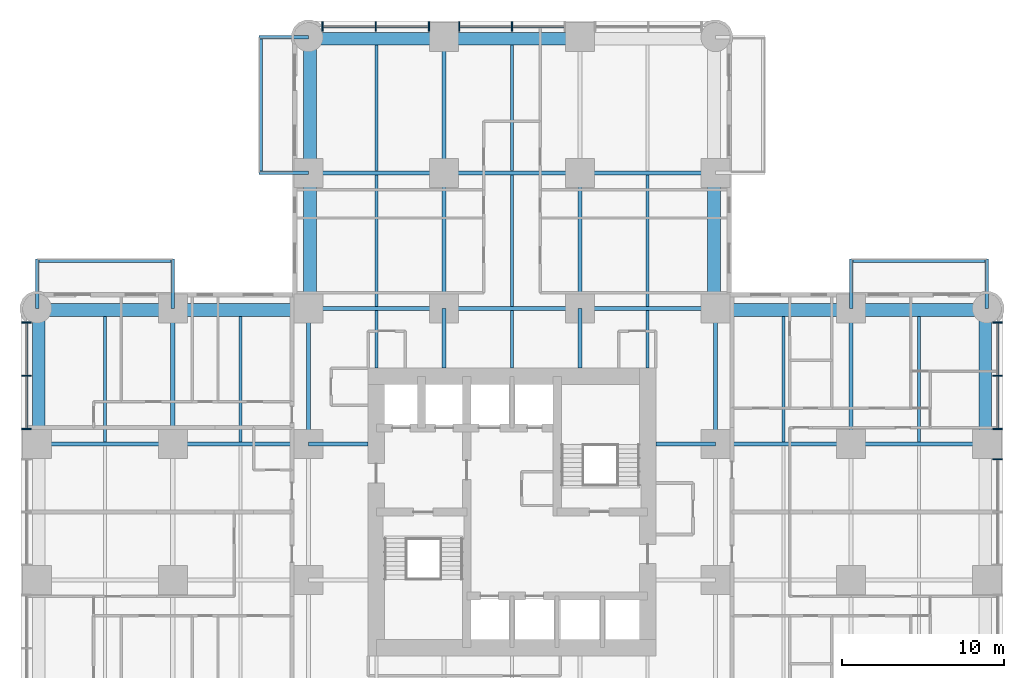
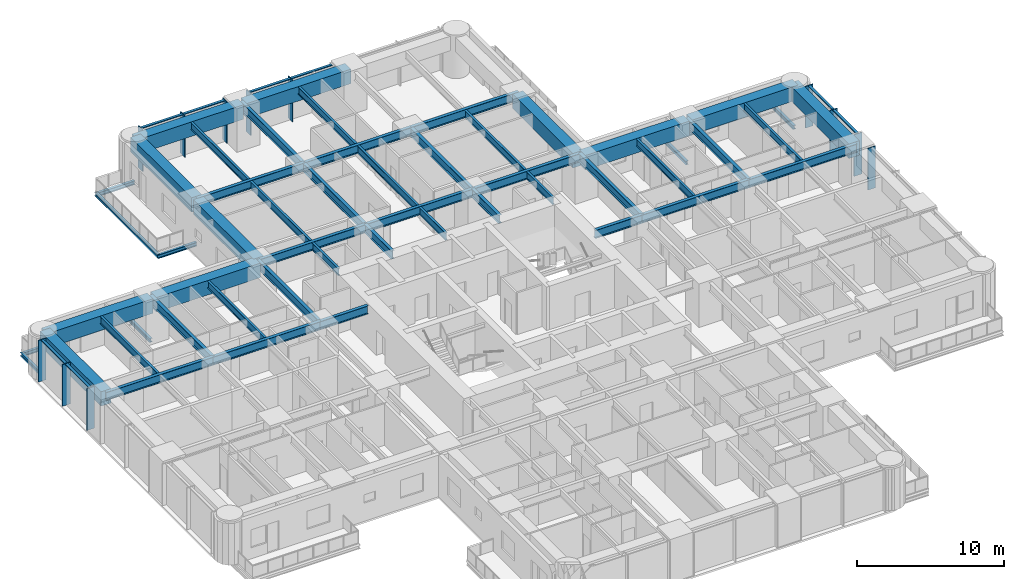
# One storey, part 4 of 17: 53 beams, 20 members, 3 elements without a shape of their own.
"""IFC4 building model written with IfcOpenShell, lengths in metres."""

import ifcopenshell
import ifcopenshell.guid

model = None  # the IFC model being written
_history = None  # IfcOwnerHistory: only IFC2X3 demands one
_inside = {}  # id of a spatial element -> (the spatial element, [elements in it])
_under = {}  # id of a project, library or spatial element -> (it, [spatial elements below it])
_declared = {}  # id of a project -> (the project, [libraries it declares])
_typed = {}  # id of a type object -> (the type object, [elements of that type])
_made_of = {}  # id of a material, layer set ... -> (it, [elements and type objects made of it])


def new_model(schema):
    """Start an empty IFC model of exactly this schema.

    Asked for "IFC4X3", IfcOpenShell would pick the latest addendum, in which some entities
    have other attributes; the version numbers below select the first issue.
    IFC2X3 requires an IfcOwnerHistory on every rooted entity: one is made here for all.
    """
    global model, _history
    if schema == "IFC4X3":
        model = ifcopenshell.file(schema_version=(4, 3, 0, 0))
    else:
        model = ifcopenshell.file(schema=schema)
    _inside.clear()
    _under.clear()
    _declared.clear()
    _typed.clear()
    _made_of.clear()
    _history = None
    if model.schema == "IFC2X3":
        org = make("IfcOrganization", Name="unknown")
        user = make(
            "IfcPersonAndOrganization",
            ThePerson=make("IfcPerson", FamilyName="unknown"),
            TheOrganization=org,
        )
        app = make(
            "IfcApplication",
            ApplicationDeveloper=org,
            Version="unknown",
            ApplicationFullName="unknown",
            ApplicationIdentifier="unknown",
        )
        _history = make(
            "IfcOwnerHistory",
            OwningUser=user,
            OwningApplication=app,
            ChangeAction="ADDED",
            CreationDate=0,
        )
    return model


def make(cls, **values):
    """One entity of the class cls with the attributes given. An attribute that is None is left unset."""
    return model.create_entity(
        cls, **{name: value for name, value in values.items() if value is not None}
    )


def rooted(cls, **values):
    """An entity with a GlobalId (a new one), such as an element, a storey or a relation."""
    return make(cls, GlobalId=ifcopenshell.guid.new(), OwnerHistory=_history, **values)


def si_unit(unit_type, name, prefix=None):
    """IfcSIUnit, for example si_unit("LENGTHUNIT", "METRE", prefix="MILLI")."""
    return make("IfcSIUnit", UnitType=unit_type, Prefix=prefix, Name=name)


def assignment(units):
    """IfcUnitAssignment: the units of a project."""
    return None if units is None else make("IfcUnitAssignment", Units=units)


def point(xyz):
    """IfcCartesianPoint."""
    return None if xyz is None else make("IfcCartesianPoint", Coordinates=xyz)


def direction(xyz):
    """IfcDirection."""
    return None if xyz is None else make("IfcDirection", DirectionRatios=xyz)


def frame(location, z_axis=None, x_axis=None):
    """IfcAxis2Placement3D, a coordinate frame: its origin and axes. An axis left out is left unset."""
    return make(
        "IfcAxis2Placement3D",
        Location=point(location),
        Axis=direction(z_axis),
        RefDirection=direction(x_axis),
    )


def frame_2d(location, x_axis=None):
    """IfcAxis2Placement2D, a coordinate frame in the plane: its origin and x axis."""
    return make(
        "IfcAxis2Placement2D", Location=point(location), RefDirection=direction(x_axis)
    )


def origin():
    """The frame at (0, 0, 0) with its axes left unset."""
    return frame((0.0, 0.0, 0.0))


def origin_2d():
    """The frame at (0, 0) in the plane with its x axis left unset."""
    return frame_2d((0.0, 0.0))


def place(relative_to, where):
    """IfcLocalPlacement: puts the frame where relative to a parent placement (None: the world)."""
    return make(
        "IfcLocalPlacement", PlacementRelTo=relative_to, RelativePlacement=where
    )


def context(
    kind, dimensions, precision=None, world=None, true_north=None, identifier=None
):
    """IfcGeometricRepresentationContext, for example the 3D "Model" context."""
    return make(
        "IfcGeometricRepresentationContext",
        ContextIdentifier=identifier,
        ContextType=kind,
        CoordinateSpaceDimension=dimensions,
        Precision=precision,
        WorldCoordinateSystem=world,
        TrueNorth=true_north,
    )


def subcontext(parent, identifier, kind, view, scale=None):
    """IfcGeometricRepresentationSubContext, for example "Body" below "Model"."""
    return make(
        "IfcGeometricRepresentationSubContext",
        ContextIdentifier=identifier,
        ContextType=kind,
        ParentContext=parent,
        TargetScale=scale,
        TargetView=view,
    )


def project(units=None, contexts=None):
    """IfcProject with its units and contexts."""
    return rooted(
        "IfcProject",
        Name="project",
        RepresentationContexts=contexts,
        UnitsInContext=assignment(units),
    )


def spatial(cls, under=None, at=None, **own):
    """A site, building, storey or space (cls), placed at a placement, below another one or the project."""
    s = rooted(cls, ObjectPlacement=at, **own)
    if under is not None:
        _under.setdefault(under.id(), (under, []))[1].append(s)
    return s


def profile(cls, at=None, kind="AREA", **sizes):
    """A parametric profile (cls). Its sizes go by their IFC names, for example OverallWidth=200.0."""
    return make(cls, ProfileType=kind, Position=at, **sizes)


def rectangle(**sizes):
    """IfcRectangleProfileDef."""
    return profile("IfcRectangleProfileDef", **sizes)


def i_section(**sizes):
    """IfcIShapeProfileDef."""
    return profile("IfcIShapeProfileDef", **sizes)


def extrude(swept, where, along, depth):
    """IfcExtrudedAreaSolid: the profile swept, set in the frame where, extruded along a direction by depth."""
    return make(
        "IfcExtrudedAreaSolid",
        SweptArea=swept,
        Position=where,
        ExtrudedDirection=direction(along),
        Depth=depth,
    )


def shape(context_of_items, identifier, shape_type, items):
    """IfcShapeRepresentation: the items that make up one representation, for example the "Body"."""
    return make(
        "IfcShapeRepresentation",
        ContextOfItems=context_of_items,
        RepresentationIdentifier=identifier,
        RepresentationType=shape_type,
        Items=items,
    )


def material(Name=None, Category=None):
    """IfcMaterial."""
    return make("IfcMaterial", Name=Name, Category=Category)


def material_profile(
    of_material, cross_section, Name=None, Category=None, Priority=None
):
    """IfcMaterialProfile: a cross section and its material."""
    return make(
        "IfcMaterialProfile",
        Name=Name,
        Material=of_material,
        Profile=cross_section,
        Priority=Priority,
        Category=Category,
    )


def profile_set(profiles, Name=None, composite=None):
    """IfcMaterialProfileSet."""
    return make(
        "IfcMaterialProfileSet",
        Name=Name,
        MaterialProfiles=profiles,
        CompositeProfile=composite,
    )


def made_of(thing, what):
    """Note that an element or type object is made of a material, layer set ...; save() writes the relation."""
    if what is not None:
        _made_of.setdefault(what.id(), (what, []))[1].append(thing)
    return thing


def type_object(cls, material=None, **own):
    """A type object (cls), such as IfcWallType, which elements share."""
    return made_of(rooted(cls, **own), material)


def element(
    cls,
    number,
    at=None,
    inside=None,
    cuts=None,
    type_object=None,
    material=None,
    context=None,
    identifier="Body",
    shape_type=None,
    held_by="IfcProductDefinitionShape",
    body=None,
    shapes=None,
    **own,
):
    """One element of the class cls, such as IfcWall. Its Tag is "e" and its number.

    at: its placement. inside: the storey or other place that contains it. cuts: it is an
    opening in that element (IfcRelVoidsElement). A single representation is given by context,
    identifier, shape_type and body (its items); several are given by shapes. held_by: the class
    of the entity that holds the representations. save() writes the other relations.
    """
    e = rooted(cls, Tag="e%d" % number, ObjectPlacement=at, **own)
    if body is not None:
        shapes = [shape(context, identifier, shape_type, body)]
    if shapes is not None:
        e.Representation = make(held_by, Representations=shapes)
    if inside is not None:
        _inside.setdefault(inside.id(), (inside, []))[1].append(e)
    if cuts is not None:
        rooted(
            "IfcRelVoidsElement", RelatingBuildingElement=cuts, RelatedOpeningElement=e
        )
    if type_object is not None:
        _typed.setdefault(type_object.id(), (type_object, []))[1].append(e)
    return made_of(e, material)


def aggregate(whole, parts):
    """IfcRelAggregates: a whole, such as a stair, and the parts it consists of."""
    return rooted("IfcRelAggregates", RelatingObject=whole, RelatedObjects=parts)


def save(model, path):
    """Write the relations noted so far, then the file.

    IfcRelAggregates (storeys below a building ...), IfcRelContainedInSpatialStructure (elements
    in a storey), IfcRelDefinesByType, IfcRelAssociatesMaterial and IfcRelDeclares: one each for
    every whole, place, type object, material and project.
    """
    for whole, parts in _under.values():
        aggregate(whole, parts)
    for where, things in _inside.values():
        rooted(
            "IfcRelContainedInSpatialStructure",
            RelatedElements=things,
            RelatingStructure=where,
        )
    for kind, things in _typed.values():
        rooted("IfcRelDefinesByType", RelatedObjects=things, RelatingType=kind)
    for what, things in _made_of.values():
        rooted("IfcRelAssociatesMaterial", RelatedObjects=things, RelatingMaterial=what)
    for by, libraries in _declared.values():
        rooted("IfcRelDeclares", RelatingContext=by, RelatedDefinitions=libraries)
    model.write(path)


model = new_model("IFC4")

# Units and contexts
model_context = context("Model", 3, precision=1e-05, world=origin(), true_north=direction((0.0, 1.0)))
body_context = subcontext(model_context, "Body", "Model", "MODEL_VIEW")
ifc_project = project(units=[si_unit("LENGTHUNIT", "METRE"), si_unit("AREAUNIT", "SQUARE_METRE"), si_unit("VOLUMEUNIT", "CUBIC_METRE"), si_unit("PLANEANGLEUNIT", "RADIAN"), si_unit("MASSUNIT", "GRAM", prefix="KILO")], contexts=[model_context])

# Site, building, storey
site_placement = place(None, origin())
site = spatial("IfcSite", under=ifc_project, at=site_placement, CompositionType="ELEMENT")
building_placement = place(site_placement, origin())
building = spatial("IfcBuilding", under=site, at=building_placement, Name="Torre Alcanfor", CompositionType="ELEMENT")
storey_placement = place(building_placement, frame((0.0, 0.0, 34.5)))
storey = spatial("IfcBuildingStorey", under=building, at=storey_placement, Name="L07", CompositionType="ELEMENT", Elevation=34.5)

# Beams
ifc_material_1 = material(Name="Steel ASTM A992 Grade 50", Category="steel")
ifc_material_profile_1 = material_profile(ifc_material_1, i_section(OverallWidth=0.205322265625, OverallDepth=0.309814453125, WebThickness=0.00927734375, FlangeThickness=0.016357421875, at=origin_2d()), Name="W12x50")
ifc_profile_set_1 = profile_set([ifc_material_profile_1], Name="Steel ASTM A992 Grade 50")
beam_type_1 = type_object("IfcBeamType", Name="Balcony cantilever beam W12x50", PredefinedType="BEAM", material=ifc_profile_set_1)
for number, where, z_axis, x_axis, name in (
    (1, (16.800048828125, 50.39990234375, -0.35498046875), (-1.0, 0.0, 0.0), (0.0, -1.0, 0.0), "Balcony cantilever beam L07-N1 1"),
    (2, (16.800048828125, 58.800048828125, -0.35498046875), (-1.0, 0.0, 0.0), (0.0, -1.0, 0.0), "Balcony cantilever beam L07-N1 2"),
    (3, (50.39990234375, 42.0, -0.35498046875), (0.0, 1.0, 0.0), (-1.0, 0.0, 0.0), "Balcony cantilever beam L07-E1 1"),
    (4, (58.800048828125, 42.0, -0.35498046875), (0.0, 1.0, 0.0), (-1.0, 0.0, 0.0), "Balcony cantilever beam L07-E1 2"),
    (5, (8.39990234375, 42.0, -0.35498046875), (0.0, 1.0, 0.0), (-1.0, 0.0, 0.0), "Balcony cantilever beam L07-W2 1"),
    (6, (0.0, 42.0, -0.35498046875), (0.0, 1.0, 0.0), (-1.0, 0.0, 0.0), "Balcony cantilever beam L07-W2 2"),
):
    element("IfcBeam", number, at=place(storey_placement, frame(where, z_axis=z_axis, x_axis=x_axis)), inside=storey, type_object=beam_type_1, Name=name, PredefinedType="BEAM", context=body_context, shape_type="SweptSolid", body=[
        extrude(i_section(OverallWidth=0.205322265625, OverallDepth=0.309814453125, WebThickness=0.00927734375, FlangeThickness=0.016357421875, at=origin_2d()), origin(), (0.0, 0.0, 1.0), 3.050048828125),
    ])
ifc_material_2 = material(Name="Steel ASTM A992 Grade 50", Category="steel")
ifc_material_profile_2 = material_profile(ifc_material_2, i_section(OverallWidth=0.203369140625, OverallDepth=0.30224609375, WebThickness=0.007568359375, FlangeThickness=0.01318359375, at=origin_2d()), Name="W12x40")
ifc_profile_set_2 = profile_set([ifc_material_profile_2], Name="Steel ASTM A992 Grade 50")
beam_type_2 = type_object("IfcBeamType", Name="Balcony edge trimmer W12x40", PredefinedType="BEAM", material=ifc_profile_set_2)
for number, where, z_axis, x_axis, name in (
    (7, (13.851806640625, 50.39990234375, -0.35107421875), (0.0, 1.0, 0.0), (-1.0, 0.0, 0.0), "Balcony edge trimmer L07-N1"),
    (8, (50.39990234375, 44.9482421875, -0.35107421875), (1.0, 0.0, 0.0), (0.0, 1.0, 0.0), "Balcony edge trimmer L07-E1"),
):
    element("IfcBeam", number, at=place(storey_placement, frame(where, z_axis=z_axis, x_axis=x_axis)), inside=storey, type_object=beam_type_2, Name=name, PredefinedType="BEAM", context=body_context, shape_type="SweptSolid", body=[
        extrude(i_section(OverallWidth=0.203369140625, OverallDepth=0.30224609375, WebThickness=0.007568359375, FlangeThickness=0.01318359375, at=origin_2d()), origin(), (0.0, 0.0, 1.0), 8.400146484375),
    ])
beam_1_placement = place(storey_placement, frame((8.39990234375, 44.9482421875, -0.35107421875), z_axis=(-1.0, 0.0, 0.0), x_axis=(0.0, -1.0, 0.0)))
element("IfcBeam", 9, at=beam_1_placement, inside=storey, type_object=beam_type_2, Name="Balcony edge trimmer L07-W2", PredefinedType="BEAM", context=body_context, shape_type="SweptSolid", body=[
    extrude(i_section(OverallWidth=0.203369140625, OverallDepth=0.30224609375, WebThickness=0.007568359375, FlangeThickness=0.01318359375, at=origin_2d()), origin(), (0.0, 0.0, 1.0), 8.39990234375),
])

# Curtain wall, members
ifc_material_3 = material(Name="Aluminium and glass", Category="aluminium")
curtain_wall_type = type_object("IfcCurtainWallType", Name="CW-A unitised apartment glazing with vertical FIN", PredefinedType="NOTDEFINED", material=ifc_material_3)
curtain_wall_1_placement = place(storey_placement, origin())
curtain_wall_1 = element("IfcCurtainWall", 10, at=curtain_wall_1_placement, inside=storey, type_object=curtain_wall_type, Name="Curtain wall CW-A L07 2", PredefinedType="NOTDEFINED")
ifc_material_4 = material(Name="Bronze anodised aluminium", Category="aluminium")
ifc_material_profile_3 = material_profile(ifc_material_4, rectangle(XDim=0.60009765625, YDim=0.06494140625, at=origin_2d()), Name="CW-A mullion 65x600")
ifc_profile_set_3 = profile_set([ifc_material_profile_3], Name="Bronze anodised aluminium")
member_type_1 = type_object("IfcMemberType", Name="CW-A mullion with vertical FIN 65x600", PredefinedType="MULLION", material=ifc_profile_set_3)
member_1_placement = place(storey_placement, frame((-0.64990234375, 41.133056640625, 0.0), z_axis=(0.0, 0.0, 1.0), x_axis=(1.0, 0.0, 0.0)))
member_1 = element("IfcMember", 11, at=member_1_placement, type_object=member_type_1, Name="CW-A mullion 1.1", PredefinedType="MULLION", context=body_context, shape_type="SweptSolid", body=[
    extrude(rectangle(XDim=0.60009765625, YDim=0.06494140625, at=origin_2d()), origin(), (0.0, 0.0, 1.0), 3.449951171875),
])
member_2_placement = place(storey_placement, frame((-0.64990234375, 37.835205078125, 0.0), z_axis=(0.0, 0.0, 1.0), x_axis=(1.0, 0.0, 0.0)))
member_2 = element("IfcMember", 12, at=member_2_placement, type_object=member_type_1, Name="CW-A mullion 1.2", PredefinedType="MULLION", context=body_context, shape_type="SweptSolid", body=[
    extrude(rectangle(XDim=0.60009765625, YDim=0.06494140625, at=origin_2d()), origin(), (0.0, 0.0, 1.0), 3.449951171875),
])
member_3_placement = place(storey_placement, frame((-0.64990234375, 34.53759765625, 0.0), z_axis=(0.0, 0.0, 1.0), x_axis=(1.0, 0.0, 0.0)))
member_3 = element("IfcMember", 13, at=member_3_placement, type_object=member_type_1, Name="CW-A mullion 1.3", PredefinedType="MULLION", context=body_context, shape_type="SweptSolid", body=[
    extrude(rectangle(XDim=0.60009765625, YDim=0.06494140625, at=origin_2d()), origin(), (0.0, 0.0, 1.0), 3.449951171875),
])

curtain_wall_2_placement = place(storey_placement, origin())
curtain_wall_2 = element("IfcCurtainWall", 14, at=curtain_wall_2_placement, inside=storey, type_object=curtain_wall_type, Name="Curtain wall CW-A L07 8", PredefinedType="NOTDEFINED")
member_4_placement = place(storey_placement, frame((59.449951171875, 32.66259765625, 0.0), z_axis=(0.0, 0.0, 1.0), x_axis=(-1.0, 0.0, 0.0)))
member_4 = element("IfcMember", 15, at=member_4_placement, type_object=member_type_1, Name="CW-A mullion 2.3", PredefinedType="MULLION", context=body_context, shape_type="SweptSolid", body=[
    extrude(rectangle(XDim=0.60009765625, YDim=0.06494140625, at=origin_2d()), origin(), (0.0, 0.0, 1.0), 3.449951171875),
])
member_5_placement = place(storey_placement, frame((59.449951171875, 34.53759765625, 0.0), z_axis=(0.0, 0.0, 1.0), x_axis=(-1.0, 0.0, 0.0)))
member_5 = element("IfcMember", 16, at=member_5_placement, type_object=member_type_1, Name="CW-A mullion 3.1", PredefinedType="MULLION", context=body_context, shape_type="SweptSolid", body=[
    extrude(rectangle(XDim=0.60009765625, YDim=0.06494140625, at=origin_2d()), origin(), (0.0, 0.0, 1.0), 3.449951171875),
])
member_6_placement = place(storey_placement, frame((59.449951171875, 37.835205078125, 0.0), z_axis=(0.0, 0.0, 1.0), x_axis=(-1.0, 0.0, 0.0)))
member_6 = element("IfcMember", 17, at=member_6_placement, type_object=member_type_1, Name="CW-A mullion 3.2", PredefinedType="MULLION", context=body_context, shape_type="SweptSolid", body=[
    extrude(rectangle(XDim=0.60009765625, YDim=0.06494140625, at=origin_2d()), origin(), (0.0, 0.0, 1.0), 3.449951171875),
])
member_7_placement = place(storey_placement, frame((59.449951171875, 41.133056640625, 0.0), z_axis=(0.0, 0.0, 1.0), x_axis=(-1.0, 0.0, 0.0)))
member_7 = element("IfcMember", 18, at=member_7_placement, type_object=member_type_1, Name="CW-A mullion 3.3", PredefinedType="MULLION", context=body_context, shape_type="SweptSolid", body=[
    extrude(rectangle(XDim=0.60009765625, YDim=0.06494140625, at=origin_2d()), origin(), (0.0, 0.0, 1.0), 3.449951171875),
])

curtain_wall_3_placement = place(storey_placement, origin())
curtain_wall_3 = element("IfcCurtainWall", 19, at=curtain_wall_3_placement, inside=storey, type_object=curtain_wall_type, Name="Curtain wall CW-A L07 11", PredefinedType="NOTDEFINED")
member_8_placement = place(storey_placement, frame((29.39990234375, 59.449951171875, 0.0), z_axis=(0.0, 0.0, 1.0), x_axis=(0.0, -1.0, 0.0)))
member_8 = element("IfcMember", 20, at=member_8_placement, type_object=member_type_1, Name="CW-A mullion 2.2", PredefinedType="MULLION", context=body_context, shape_type="SweptSolid", body=[
    extrude(rectangle(XDim=0.60009765625, YDim=0.06494140625, at=origin_2d()), origin(), (0.0, 0.0, 1.0), 3.449951171875),
])
member_9_placement = place(storey_placement, frame((26.137451171875, 59.449951171875, 0.0), z_axis=(0.0, 0.0, 1.0), x_axis=(0.0, -1.0, 0.0)))
member_9 = element("IfcMember", 21, at=member_9_placement, type_object=member_type_1, Name="CW-A mullion 2.3", PredefinedType="MULLION", context=body_context, shape_type="SweptSolid", body=[
    extrude(rectangle(XDim=0.60009765625, YDim=0.06494140625, at=origin_2d()), origin(), (0.0, 0.0, 1.0), 3.449951171875),
])
member_10_placement = place(storey_placement, frame((24.262451171875, 59.449951171875, 0.0), z_axis=(0.0, 0.0, 1.0), x_axis=(0.0, -1.0, 0.0)))
member_10 = element("IfcMember", 22, at=member_10_placement, type_object=member_type_1, Name="CW-A mullion 3.1", PredefinedType="MULLION", context=body_context, shape_type="SweptSolid", body=[
    extrude(rectangle(XDim=0.60009765625, YDim=0.06494140625, at=origin_2d()), origin(), (0.0, 0.0, 1.0), 3.449951171875),
])
member_11_placement = place(storey_placement, frame((20.96484375, 59.449951171875, 0.0), z_axis=(0.0, 0.0, 1.0), x_axis=(0.0, -1.0, 0.0)))
member_11 = element("IfcMember", 23, at=member_11_placement, type_object=member_type_1, Name="CW-A mullion 3.2", PredefinedType="MULLION", context=body_context, shape_type="SweptSolid", body=[
    extrude(rectangle(XDim=0.60009765625, YDim=0.06494140625, at=origin_2d()), origin(), (0.0, 0.0, 1.0), 3.449951171875),
])
member_12_placement = place(storey_placement, frame((17.6669921875, 59.449951171875, 0.0), z_axis=(0.0, 0.0, 1.0), x_axis=(0.0, -1.0, 0.0)))
member_12 = element("IfcMember", 24, at=member_12_placement, type_object=member_type_1, Name="CW-A mullion 3.3", PredefinedType="MULLION", context=body_context, shape_type="SweptSolid", body=[
    extrude(rectangle(XDim=0.60009765625, YDim=0.06494140625, at=origin_2d()), origin(), (0.0, 0.0, 1.0), 3.449951171875),
])

# Member
ifc_material_5 = material(Name="Extruded aluminium", Category="aluminium")
ifc_material_profile_4 = material_profile(ifc_material_5, rectangle(XDim=0.199951171875, YDim=0.06494140625, at=origin_2d()), Name="CW-A transom 200x65")
ifc_profile_set_4 = profile_set([ifc_material_profile_4], Name="Extruded aluminium")
member_type_2 = type_object("IfcMemberType", Name="CW-A transom 65x200", PredefinedType="USERDEFINED", material=ifc_profile_set_4)
member_13_placement = place(storey_placement, frame((-0.64990234375, 41.1005859375, 3.41748046875), z_axis=(0.0, -1.0, 0.0), x_axis=(1.0, 0.0, 0.0)))
member_13 = element("IfcMember", 25, at=member_13_placement, type_object=member_type_2, Name="CW-A transom 1.1.2", ObjectType="TRANSOM", PredefinedType="USERDEFINED", context=body_context, shape_type="SweptSolid", body=[
    extrude(rectangle(XDim=0.199951171875, YDim=0.06494140625, at=origin_2d()), origin(), (0.0, 0.0, 1.0), 3.23291015625),
])

member_14_placement = place(storey_placement, frame((-0.64990234375, 37.802734375, 3.41748046875), z_axis=(0.0, -1.0, 0.0), x_axis=(1.0, 0.0, 0.0)))
member_14 = element("IfcMember", 26, at=member_14_placement, type_object=member_type_2, Name="CW-A transom 1.2.2", ObjectType="TRANSOM", PredefinedType="USERDEFINED", context=body_context, shape_type="SweptSolid", body=[
    extrude(rectangle(XDim=0.199951171875, YDim=0.06494140625, at=origin_2d()), origin(), (0.0, 0.0, 1.0), 3.232666015625),
])

aggregate(curtain_wall_1, [member_1, member_2, member_3, member_13, member_14])

member_15_placement = place(storey_placement, frame((59.449951171875, 34.570068359375, 3.41748046875), z_axis=(0.0, 1.0, 0.0), x_axis=(-1.0, 0.0, 0.0)))
member_15 = element("IfcMember", 27, at=member_15_placement, type_object=member_type_2, Name="CW-A transom 3.1.2", ObjectType="TRANSOM", PredefinedType="USERDEFINED", context=body_context, shape_type="SweptSolid", body=[
    extrude(rectangle(XDim=0.199951171875, YDim=0.06494140625, at=origin_2d()), origin(), (0.0, 0.0, 1.0), 3.232666015625),
])

member_16_placement = place(storey_placement, frame((59.449951171875, 37.86767578125, 3.41748046875), z_axis=(0.0, 1.0, 0.0), x_axis=(-1.0, 0.0, 0.0)))
member_16 = element("IfcMember", 28, at=member_16_placement, type_object=member_type_2, Name="CW-A transom 3.2.2", ObjectType="TRANSOM", PredefinedType="USERDEFINED", context=body_context, shape_type="SweptSolid", body=[
    extrude(rectangle(XDim=0.199951171875, YDim=0.06494140625, at=origin_2d()), origin(), (0.0, 0.0, 1.0), 3.23291015625),
])

aggregate(curtain_wall_2, [member_4, member_5, member_6, member_7, member_15, member_16])

member_17_placement = place(storey_placement, frame((32.6298828125, 59.449951171875, 3.41748046875), z_axis=(-1.0, 0.0, 0.0), x_axis=(0.0, -1.0, 0.0)))
member_17 = element("IfcMember", 29, at=member_17_placement, type_object=member_type_2, Name="CW-A transom 2.1.2", ObjectType="TRANSOM", PredefinedType="USERDEFINED", context=body_context, shape_type="SweptSolid", body=[
    extrude(rectangle(XDim=0.199951171875, YDim=0.06494140625, at=origin_2d()), origin(), (0.0, 0.0, 1.0), 3.197265625),
])

member_18_placement = place(storey_placement, frame((29.367431640625, 59.449951171875, 3.41748046875), z_axis=(-1.0, 0.0, 0.0), x_axis=(0.0, -1.0, 0.0)))
member_18 = element("IfcMember", 30, at=member_18_placement, type_object=member_type_2, Name="CW-A transom 2.2.2", ObjectType="TRANSOM", PredefinedType="USERDEFINED", context=body_context, shape_type="SweptSolid", body=[
    extrude(rectangle(XDim=0.199951171875, YDim=0.06494140625, at=origin_2d()), origin(), (0.0, 0.0, 1.0), 3.197509765625),
])

member_19_placement = place(storey_placement, frame((24.22998046875, 59.449951171875, 3.41748046875), z_axis=(-1.0, 0.0, 0.0), x_axis=(0.0, -1.0, 0.0)))
member_19 = element("IfcMember", 31, at=member_19_placement, type_object=member_type_2, Name="CW-A transom 3.1.2", ObjectType="TRANSOM", PredefinedType="USERDEFINED", context=body_context, shape_type="SweptSolid", body=[
    extrude(rectangle(XDim=0.199951171875, YDim=0.06494140625, at=origin_2d()), origin(), (0.0, 0.0, 1.0), 3.232666015625),
])

member_20_placement = place(storey_placement, frame((20.93212890625, 59.449951171875, 3.41748046875), z_axis=(-1.0, 0.0, 0.0), x_axis=(0.0, -1.0, 0.0)))
member_20 = element("IfcMember", 32, at=member_20_placement, type_object=member_type_2, Name="CW-A transom 3.2.2", ObjectType="TRANSOM", PredefinedType="USERDEFINED", context=body_context, shape_type="SweptSolid", body=[
    extrude(rectangle(XDim=0.199951171875, YDim=0.06494140625, at=origin_2d()), origin(), (0.0, 0.0, 1.0), 3.232666015625),
])

aggregate(curtain_wall_3, [member_8, member_9, member_17, member_18, member_10, member_11, member_12, member_19, member_20])

# Beams
ifc_material_6 = material(Name="Steel ASTM A992 Grade 50", Category="steel")
ifc_material_profile_5 = material_profile(ifc_material_6, i_section(OverallWidth=0.25390625, OverallDepth=0.683349609375, WebThickness=0.012451171875, FlangeThickness=0.01904296875, at=origin_2d()), Name="W27x94")
ifc_profile_set_5 = profile_set([ifc_material_profile_5], Name="Steel ASTM A992 Grade 50")
beam_type_3 = type_object("IfcBeamType", Name="Girder W27x94", PredefinedType="BEAM", material=ifc_profile_set_5)
beam_2_placement = place(storey_placement, frame((0.0, 33.60009765625, 3.1083984375), z_axis=(1.0, 0.0, 0.0), x_axis=(0.0, 1.0, 0.0)))
element("IfcBeam", 33, at=beam_2_placement, inside=storey, type_object=beam_type_3, Name="Beam 1G-2G under L08", PredefinedType="BEAM", context=body_context, shape_type="SweptSolid", body=[
    extrude(i_section(OverallWidth=0.25390625, OverallDepth=0.683349609375, WebThickness=0.012451171875, FlangeThickness=0.01904296875, at=origin_2d()), origin(), (0.0, 0.0, 1.0), 8.39990234375),
])
beam_3_placement = place(storey_placement, frame((8.39990234375, 33.60009765625, 3.1083984375), z_axis=(1.0, 0.0, 0.0), x_axis=(0.0, 1.0, 0.0)))
element("IfcBeam", 34, at=beam_3_placement, inside=storey, type_object=beam_type_3, Name="Beam 2G-3G under L08", PredefinedType="BEAM", context=body_context, shape_type="SweptSolid", body=[
    extrude(i_section(OverallWidth=0.25390625, OverallDepth=0.683349609375, WebThickness=0.012451171875, FlangeThickness=0.01904296875, at=origin_2d()), origin(), (0.0, 0.0, 1.0), 8.400146484375),
])
beam_4_placement = place(storey_placement, frame((42.0, 33.60009765625, 3.1083984375), z_axis=(1.0, 0.0, 0.0), x_axis=(0.0, 1.0, 0.0)))
element("IfcBeam", 35, at=beam_4_placement, inside=storey, type_object=beam_type_3, Name="Beam 6G-7G under L08", PredefinedType="BEAM", context=body_context, shape_type="SweptSolid", body=[
    extrude(i_section(OverallWidth=0.25390625, OverallDepth=0.683349609375, WebThickness=0.012451171875, FlangeThickness=0.01904296875, at=origin_2d()), origin(), (0.0, 0.0, 1.0), 8.39990234375),
])
beam_5_placement = place(storey_placement, frame((50.39990234375, 33.60009765625, 3.1083984375), z_axis=(1.0, 0.0, 0.0), x_axis=(0.0, 1.0, 0.0)))
element("IfcBeam", 36, at=beam_5_placement, inside=storey, type_object=beam_type_3, Name="Beam 7G-8G under L08", PredefinedType="BEAM", context=body_context, shape_type="SweptSolid", body=[
    extrude(i_section(OverallWidth=0.25390625, OverallDepth=0.683349609375, WebThickness=0.012451171875, FlangeThickness=0.01904296875, at=origin_2d()), origin(), (0.0, 0.0, 1.0), 8.400146484375),
])
beam_6_placement = place(storey_placement, frame((16.800048828125, 42.0, 3.1083984375), z_axis=(1.0, 0.0, 0.0), x_axis=(0.0, 1.0, 0.0)))
element("IfcBeam", 37, at=beam_6_placement, inside=storey, type_object=beam_type_3, Name="Beam 3H-4H under L08", PredefinedType="BEAM", context=body_context, shape_type="SweptSolid", body=[
    extrude(i_section(OverallWidth=0.25390625, OverallDepth=0.683349609375, WebThickness=0.012451171875, FlangeThickness=0.01904296875, at=origin_2d()), origin(), (0.0, 0.0, 1.0), 8.39990234375),
])
beam_7_placement = place(storey_placement, frame((25.199951171875, 42.0, 3.1083984375), z_axis=(1.0, 0.0, 0.0), x_axis=(0.0, 1.0, 0.0)))
element("IfcBeam", 38, at=beam_7_placement, inside=storey, type_object=beam_type_3, Name="Beam 4H-5H under L08", PredefinedType="BEAM", context=body_context, shape_type="SweptSolid", body=[
    extrude(i_section(OverallWidth=0.25390625, OverallDepth=0.683349609375, WebThickness=0.012451171875, FlangeThickness=0.01904296875, at=origin_2d()), origin(), (0.0, 0.0, 1.0), 8.400146484375),
])
for number, where, z_axis, x_axis, name in (
    (39, (33.60009765625, 42.0, 3.1083984375), (1.0, 0.0, 0.0), (0.0, 1.0, 0.0), "Beam 5H-6H under L08"),
    (40, (16.800048828125, 50.39990234375, 3.1083984375), (1.0, 0.0, 0.0), (0.0, 1.0, 0.0), "Beam 3J-4J under L08"),
):
    element("IfcBeam", number, at=place(storey_placement, frame(where, z_axis=z_axis, x_axis=x_axis)), inside=storey, type_object=beam_type_3, Name=name, PredefinedType="BEAM", context=body_context, shape_type="SweptSolid", body=[
        extrude(i_section(OverallWidth=0.25390625, OverallDepth=0.683349609375, WebThickness=0.012451171875, FlangeThickness=0.01904296875, at=origin_2d()), origin(), (0.0, 0.0, 1.0), 8.39990234375),
    ])
beam_8_placement = place(storey_placement, frame((25.199951171875, 50.39990234375, 3.1083984375), z_axis=(1.0, 0.0, 0.0), x_axis=(0.0, 1.0, 0.0)))
element("IfcBeam", 41, at=beam_8_placement, inside=storey, type_object=beam_type_3, Name="Beam 4J-5J under L08", PredefinedType="BEAM", context=body_context, shape_type="SweptSolid", body=[
    extrude(i_section(OverallWidth=0.25390625, OverallDepth=0.683349609375, WebThickness=0.012451171875, FlangeThickness=0.01904296875, at=origin_2d()), origin(), (0.0, 0.0, 1.0), 8.400146484375),
])
for number, where, z_axis, x_axis, name in (
    (42, (33.60009765625, 50.39990234375, 3.1083984375), (1.0, 0.0, 0.0), (0.0, 1.0, 0.0), "Beam 5J-6J under L08"),
    (43, (8.39990234375, 33.60009765625, 3.1083984375), (0.0, 1.0, 0.0), (-1.0, 0.0, 0.0), "Beam 2G-2H under L08"),
    (44, (16.800048828125, 33.60009765625, 3.1083984375), (0.0, 1.0, 0.0), (-1.0, 0.0, 0.0), "Beam 3G-3H under L08"),
    (45, (25.199951171875, 42.0, 3.1083984375), (0.0, 1.0, 0.0), (-1.0, 0.0, 0.0), "Beam 4H-4J under L08"),
):
    element("IfcBeam", number, at=place(storey_placement, frame(where, z_axis=z_axis, x_axis=x_axis)), inside=storey, type_object=beam_type_3, Name=name, PredefinedType="BEAM", context=body_context, shape_type="SweptSolid", body=[
        extrude(i_section(OverallWidth=0.25390625, OverallDepth=0.683349609375, WebThickness=0.012451171875, FlangeThickness=0.01904296875, at=origin_2d()), origin(), (0.0, 0.0, 1.0), 8.39990234375),
    ])
beam_9_placement = place(storey_placement, frame((25.199951171875, 50.39990234375, 3.1083984375), z_axis=(0.0, 1.0, 0.0), x_axis=(-1.0, 0.0, 0.0)))
element("IfcBeam", 46, at=beam_9_placement, inside=storey, type_object=beam_type_3, Name="Beam 4J-4K under L08", PredefinedType="BEAM", context=body_context, shape_type="SweptSolid", body=[
    extrude(i_section(OverallWidth=0.25390625, OverallDepth=0.683349609375, WebThickness=0.012451171875, FlangeThickness=0.01904296875, at=origin_2d()), origin(), (0.0, 0.0, 1.0), 8.400146484375),
])
for number, where, z_axis, x_axis, name in (
    (47, (33.60009765625, 42.0, 3.1083984375), (0.0, 1.0, 0.0), (-1.0, 0.0, 0.0), "Beam 5H-5J under L08"),
    (48, (42.0, 33.60009765625, 3.1083984375), (0.0, 1.0, 0.0), (-1.0, 0.0, 0.0), "Beam 6G-6H under L08"),
    (49, (50.39990234375, 33.60009765625, 3.1083984375), (0.0, 1.0, 0.0), (-1.0, 0.0, 0.0), "Beam 7G-7H under L08"),
):
    element("IfcBeam", number, at=place(storey_placement, frame(where, z_axis=z_axis, x_axis=x_axis)), inside=storey, type_object=beam_type_3, Name=name, PredefinedType="BEAM", context=body_context, shape_type="SweptSolid", body=[
        extrude(i_section(OverallWidth=0.25390625, OverallDepth=0.683349609375, WebThickness=0.012451171875, FlangeThickness=0.01904296875, at=origin_2d()), origin(), (0.0, 0.0, 1.0), 8.39990234375),
    ])
ifc_material_7 = material(Name="Steel ASTM A992 Grade 50", Category="steel")
ifc_material_profile_6 = material_profile(ifc_material_7, i_section(OverallWidth=0.25390625, OverallDepth=0.683349609375, WebThickness=0.012451171875, FlangeThickness=0.01904296875, at=origin_2d()), Name="W27x94")
ifc_profile_set_6 = profile_set([ifc_material_profile_6], Name="Steel ASTM A992 Grade 50")
beam_type_4 = type_object("IfcBeamType", Name="Girder, part bay W27x94", PredefinedType="BEAM", material=ifc_profile_set_6)
for number, where, z_axis, x_axis, name in (
    (50, (25.199951171875, 42.0, 3.1083984375), (0.0, -1.0, 0.0), (1.0, 0.0, 0.0), "Beam 4H-438_3 under L08"),
    (51, (33.60009765625, 42.0, 3.1083984375), (0.0, -1.0, 0.0), (1.0, 0.0, 0.0), "Beam 5H-538_3 under L08"),
    (52, (16.800048828125, 33.60009765625, 3.1083984375), (1.0, 0.0, 0.0), (0.0, 1.0, 0.0), "Beam 3G-20_5G under L08"),
    (53, (42.0, 33.60009765625, 3.1083984375), (-1.0, 0.0, 0.0), (0.0, -1.0, 0.0), "Beam 6G-38_3G under L08"),
):
    element("IfcBeam", number, at=place(storey_placement, frame(where, z_axis=z_axis, x_axis=x_axis)), inside=storey, type_object=beam_type_4, Name=name, PredefinedType="BEAM", context=body_context, shape_type="SweptSolid", body=[
        extrude(i_section(OverallWidth=0.25390625, OverallDepth=0.683349609375, WebThickness=0.012451171875, FlangeThickness=0.01904296875, at=origin_2d()), origin(), (0.0, 0.0, 1.0), 3.699951171875),
    ])
ifc_material_8 = material(Name="Concrete f'c 70 MPa", Category="concrete")
ifc_material_profile_7 = material_profile(ifc_material_8, rectangle(XDim=0.800048828125, YDim=1.199951171875, at=origin_2d()), Name="800x1200")
ifc_profile_set_7 = profile_set([ifc_material_profile_7], Name="Concrete f'c 70 MPa")
beam_type_5 = type_object("IfcBeamType", Name="RC perimeter beam 800x1200", PredefinedType="BEAM", material=ifc_profile_set_7)
beam_10_placement = place(storey_placement, frame((0.0, 41.89990234375, 2.85009765625), z_axis=(1.0, 0.0, 0.0), x_axis=(0.0, 1.0, 0.0)))
element("IfcBeam", 54, at=beam_10_placement, inside=storey, type_object=beam_type_5, Name="Beam 1H-2H under L08", PredefinedType="BEAM", context=body_context, shape_type="SweptSolid", body=[
    extrude(rectangle(XDim=0.800048828125, YDim=1.199951171875, at=origin_2d()), origin(), (0.0, 0.0, 1.0), 8.27294921875),
])
for number, where, z_axis, x_axis, name in (
    (55, (8.527099609375, 41.89990234375, 2.85009765625), (1.0, 0.0, 0.0), (0.0, 1.0, 0.0), "Beam 2H-3H under L08"),
    (56, (42.126953125, 41.89990234375, 2.85009765625), (1.0, 0.0, 0.0), (0.0, 1.0, 0.0), "Beam 6H-7H under L08"),
):
    element("IfcBeam", number, at=place(storey_placement, frame(where, z_axis=z_axis, x_axis=x_axis)), inside=storey, type_object=beam_type_5, Name=name, PredefinedType="BEAM", context=body_context, shape_type="SweptSolid", body=[
        extrude(rectangle(XDim=0.800048828125, YDim=1.199951171875, at=origin_2d()), origin(), (0.0, 0.0, 1.0), 8.14599609375),
    ])
for number, where, z_axis, x_axis, name in (
    (57, (50.527099609375, 41.89990234375, 2.85009765625), (1.0, 0.0, 0.0), (0.0, 1.0, 0.0), "Beam 7H-8H under L08"),
    (58, (16.800048828125, 58.699951171875, 2.85009765625), (1.0, 0.0, 0.0), (0.0, 1.0, 0.0), "Beam 3K-4K under L08"),
):
    element("IfcBeam", number, at=place(storey_placement, frame(where, z_axis=z_axis, x_axis=x_axis)), inside=storey, type_object=beam_type_5, Name=name, PredefinedType="BEAM", context=body_context, shape_type="SweptSolid", body=[
        extrude(rectangle(XDim=0.800048828125, YDim=1.199951171875, at=origin_2d()), origin(), (0.0, 0.0, 1.0), 8.27294921875),
    ])
beam_11_placement = place(storey_placement, frame((25.326904296875, 58.699951171875, 2.85009765625), z_axis=(1.0, 0.0, 0.0), x_axis=(0.0, 1.0, 0.0)))
element("IfcBeam", 59, at=beam_11_placement, inside=storey, type_object=beam_type_5, Name="Beam 4K-5K under L08", PredefinedType="BEAM", context=body_context, shape_type="SweptSolid", body=[
    extrude(rectangle(XDim=0.800048828125, YDim=1.199951171875, at=origin_2d()), origin(), (0.0, 0.0, 1.0), 8.14599609375),
])
beam_12_placement = place(storey_placement, frame((0.10009765625, 33.72705078125, 2.85009765625), z_axis=(0.0, 1.0, 0.0), x_axis=(-1.0, 0.0, 0.0)))
element("IfcBeam", 60, at=beam_12_placement, inside=storey, type_object=beam_type_5, Name="Beam 1G-1H under L08", PredefinedType="BEAM", context=body_context, shape_type="SweptSolid", body=[
    extrude(rectangle(XDim=0.800048828125, YDim=1.199951171875, at=origin_2d()), origin(), (0.0, 0.0, 1.0), 8.27294921875),
])
beam_13_placement = place(storey_placement, frame((16.89990234375, 42.126953125, 2.85009765625), z_axis=(0.0, 1.0, 0.0), x_axis=(-1.0, 0.0, 0.0)))
element("IfcBeam", 61, at=beam_13_placement, inside=storey, type_object=beam_type_5, Name="Beam 3H-3J under L08", PredefinedType="BEAM", context=body_context, shape_type="SweptSolid", body=[
    extrude(rectangle(XDim=0.800048828125, YDim=1.199951171875, at=origin_2d()), origin(), (0.0, 0.0, 1.0), 8.14599609375),
])
beam_14_placement = place(storey_placement, frame((16.89990234375, 50.527099609375, 2.85009765625), z_axis=(0.0, 1.0, 0.0), x_axis=(-1.0, 0.0, 0.0)))
element("IfcBeam", 62, at=beam_14_placement, inside=storey, type_object=beam_type_5, Name="Beam 3J-3K under L08", PredefinedType="BEAM", context=body_context, shape_type="SweptSolid", body=[
    extrude(rectangle(XDim=0.800048828125, YDim=1.199951171875, at=origin_2d()), origin(), (0.0, 0.0, 1.0), 8.27294921875),
])
beam_15_placement = place(storey_placement, frame((41.89990234375, 42.126953125, 2.85009765625), z_axis=(0.0, 1.0, 0.0), x_axis=(-1.0, 0.0, 0.0)))
element("IfcBeam", 63, at=beam_15_placement, inside=storey, type_object=beam_type_5, Name="Beam 6H-6J under L08", PredefinedType="BEAM", context=body_context, shape_type="SweptSolid", body=[
    extrude(rectangle(XDim=0.800048828125, YDim=1.199951171875, at=origin_2d()), origin(), (0.0, 0.0, 1.0), 8.14599609375),
])
beam_16_placement = place(storey_placement, frame((58.699951171875, 33.72705078125, 2.85009765625), z_axis=(0.0, 1.0, 0.0), x_axis=(-1.0, 0.0, 0.0)))
element("IfcBeam", 64, at=beam_16_placement, inside=storey, type_object=beam_type_5, Name="Beam 8G-8H under L08", PredefinedType="BEAM", context=body_context, shape_type="SweptSolid", body=[
    extrude(rectangle(XDim=0.800048828125, YDim=1.199951171875, at=origin_2d()), origin(), (0.0, 0.0, 1.0), 8.27294921875),
])
ifc_material_9 = material(Name="Steel ASTM A992 Grade 50", Category="steel")
ifc_material_profile_8 = material_profile(ifc_material_9, i_section(OverallWidth=0.1787109375, OverallDepth=0.60205078125, WebThickness=0.010986328125, FlangeThickness=0.014892578125, at=origin_2d()), Name="W24x62")
ifc_profile_set_8 = profile_set([ifc_material_profile_8], Name="Steel ASTM A992 Grade 50")
beam_type_6 = type_object("IfcBeamType", Name="Secondary beam W24x62", PredefinedType="BEAM", material=ifc_profile_set_8)
for number, where, z_axis, x_axis, name in (
    (65, (4.199951171875, 33.72705078125, 3.14892578125), (0.0, 1.0, 0.0), (-1.0, 0.0, 0.0), "Beam 4_2G-4_2H under L08"),
    (66, (12.60009765625, 33.72705078125, 3.14892578125), (0.0, 1.0, 0.0), (-1.0, 0.0, 0.0), "Beam 12_6G-12_6H under L08"),
):
    element("IfcBeam", number, at=place(storey_placement, frame(where, z_axis=z_axis, x_axis=x_axis)), inside=storey, type_object=beam_type_6, Name=name, PredefinedType="BEAM", context=body_context, shape_type="SweptSolid", body=[
        extrude(i_section(OverallWidth=0.1787109375, OverallDepth=0.60205078125, WebThickness=0.010986328125, FlangeThickness=0.014892578125, at=origin_2d()), origin(), (0.0, 0.0, 1.0), 7.77294921875),
    ])
beam_17_placement = place(storey_placement, frame((21.0, 42.126953125, 3.14892578125), z_axis=(0.0, 1.0, 0.0), x_axis=(-1.0, 0.0, 0.0)))
element("IfcBeam", 67, at=beam_17_placement, inside=storey, type_object=beam_type_6, Name="Beam 21H-21J under L08", PredefinedType="BEAM", context=body_context, shape_type="SweptSolid", body=[
    extrude(i_section(OverallWidth=0.1787109375, OverallDepth=0.60205078125, WebThickness=0.010986328125, FlangeThickness=0.014892578125, at=origin_2d()), origin(), (0.0, 0.0, 1.0), 8.14599609375),
])
beam_18_placement = place(storey_placement, frame((21.0, 50.527099609375, 3.14892578125), z_axis=(0.0, 1.0, 0.0), x_axis=(-1.0, 0.0, 0.0)))
element("IfcBeam", 68, at=beam_18_placement, inside=storey, type_object=beam_type_6, Name="Beam 21J-21K under L08", PredefinedType="BEAM", context=body_context, shape_type="SweptSolid", body=[
    extrude(i_section(OverallWidth=0.1787109375, OverallDepth=0.60205078125, WebThickness=0.010986328125, FlangeThickness=0.014892578125, at=origin_2d()), origin(), (0.0, 0.0, 1.0), 7.77294921875),
])
beam_19_placement = place(storey_placement, frame((29.39990234375, 42.126953125, 3.14892578125), z_axis=(0.0, 1.0, 0.0), x_axis=(-1.0, 0.0, 0.0)))
element("IfcBeam", 69, at=beam_19_placement, inside=storey, type_object=beam_type_6, Name="Beam 29_4H-29_4J under L08", PredefinedType="BEAM", context=body_context, shape_type="SweptSolid", body=[
    extrude(i_section(OverallWidth=0.1787109375, OverallDepth=0.60205078125, WebThickness=0.010986328125, FlangeThickness=0.014892578125, at=origin_2d()), origin(), (0.0, 0.0, 1.0), 8.14599609375),
])
beam_20_placement = place(storey_placement, frame((29.39990234375, 50.527099609375, 3.14892578125), z_axis=(0.0, 1.0, 0.0), x_axis=(-1.0, 0.0, 0.0)))
element("IfcBeam", 70, at=beam_20_placement, inside=storey, type_object=beam_type_6, Name="Beam 29_4J-29_4K under L08", PredefinedType="BEAM", context=body_context, shape_type="SweptSolid", body=[
    extrude(i_section(OverallWidth=0.1787109375, OverallDepth=0.60205078125, WebThickness=0.010986328125, FlangeThickness=0.014892578125, at=origin_2d()), origin(), (0.0, 0.0, 1.0), 7.77294921875),
])
beam_21_placement = place(storey_placement, frame((37.800048828125, 42.126953125, 3.14892578125), z_axis=(0.0, 1.0, 0.0), x_axis=(-1.0, 0.0, 0.0)))
element("IfcBeam", 71, at=beam_21_placement, inside=storey, type_object=beam_type_6, Name="Beam 37_8H-37_8J under L08", PredefinedType="BEAM", context=body_context, shape_type="SweptSolid", body=[
    extrude(i_section(OverallWidth=0.1787109375, OverallDepth=0.60205078125, WebThickness=0.010986328125, FlangeThickness=0.014892578125, at=origin_2d()), origin(), (0.0, 0.0, 1.0), 8.14599609375),
])
for number, where, z_axis, x_axis, name in (
    (72, (46.199951171875, 33.72705078125, 3.14892578125), (0.0, 1.0, 0.0), (-1.0, 0.0, 0.0), "Beam 46_2G-46_2H under L08"),
    (73, (54.60009765625, 33.72705078125, 3.14892578125), (0.0, 1.0, 0.0), (-1.0, 0.0, 0.0), "Beam 54_6G-54_6H under L08"),
):
    element("IfcBeam", number, at=place(storey_placement, frame(where, z_axis=z_axis, x_axis=x_axis)), inside=storey, type_object=beam_type_6, Name=name, PredefinedType="BEAM", context=body_context, shape_type="SweptSolid", body=[
        extrude(i_section(OverallWidth=0.1787109375, OverallDepth=0.60205078125, WebThickness=0.010986328125, FlangeThickness=0.014892578125, at=origin_2d()), origin(), (0.0, 0.0, 1.0), 7.77294921875),
    ])
ifc_material_10 = material(Name="Steel ASTM A992 Grade 50", Category="steel")
ifc_material_profile_9 = material_profile(ifc_material_10, i_section(OverallWidth=0.1787109375, OverallDepth=0.60205078125, WebThickness=0.010986328125, FlangeThickness=0.014892578125, at=origin_2d()), Name="W24x62")
ifc_profile_set_9 = profile_set([ifc_material_profile_9], Name="Steel ASTM A992 Grade 50")
beam_type_7 = type_object("IfcBeamType", Name="Secondary beam, part bay W24x62", PredefinedType="BEAM", material=ifc_profile_set_9)
for number, where, z_axis, x_axis, name in (
    (74, (21.0, 38.300048828125, 3.14892578125), (0.0, 1.0, 0.0), (-1.0, 0.0, 0.0), "Beam 2138_3-21H under L08"),
    (75, (29.39990234375, 38.300048828125, 3.14892578125), (0.0, 1.0, 0.0), (-1.0, 0.0, 0.0), "Beam 29_438_3-29_4H under L08"),
    (76, (37.800048828125, 38.300048828125, 3.14892578125), (0.0, 1.0, 0.0), (-1.0, 0.0, 0.0), "Beam 37_838_3-37_8H under L08"),
):
    element("IfcBeam", number, at=place(storey_placement, frame(where, z_axis=z_axis, x_axis=x_axis)), inside=storey, type_object=beam_type_7, Name=name, PredefinedType="BEAM", context=body_context, shape_type="SweptSolid", body=[
        extrude(i_section(OverallWidth=0.1787109375, OverallDepth=0.60205078125, WebThickness=0.010986328125, FlangeThickness=0.014892578125, at=origin_2d()), origin(), (0.0, 0.0, 1.0), 3.572998046875),
    ])

save(model, "model.ifc")
